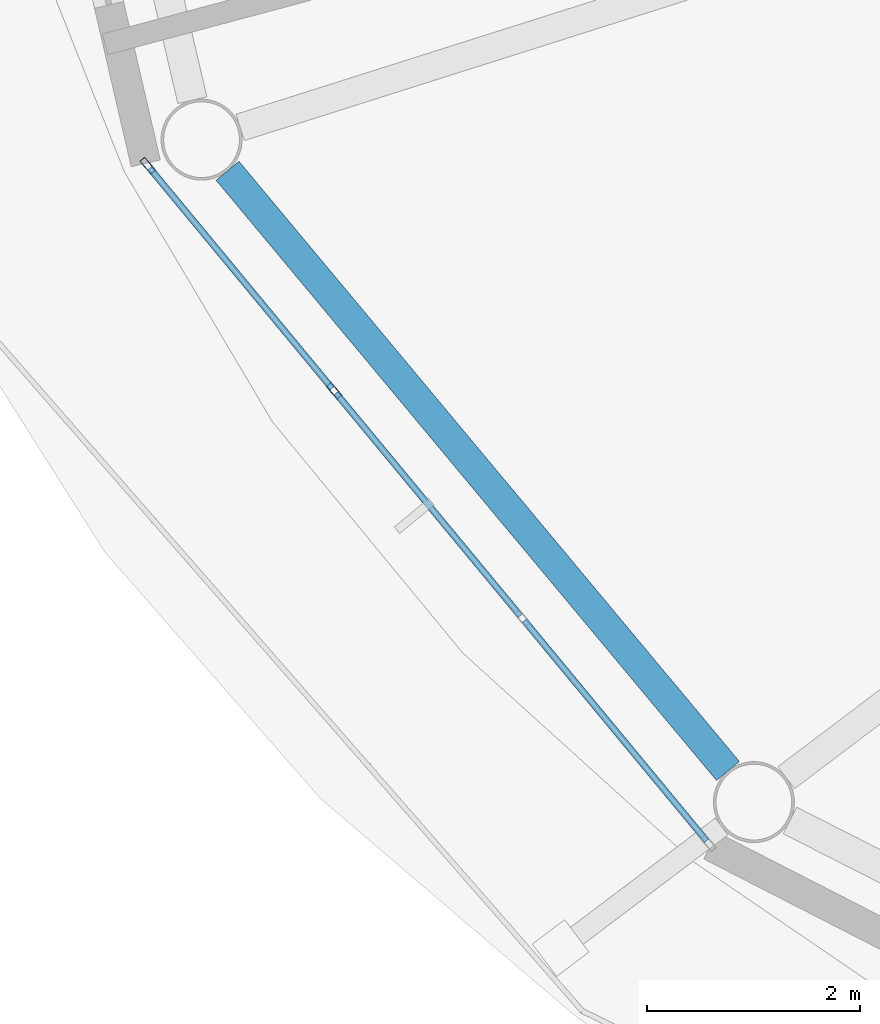
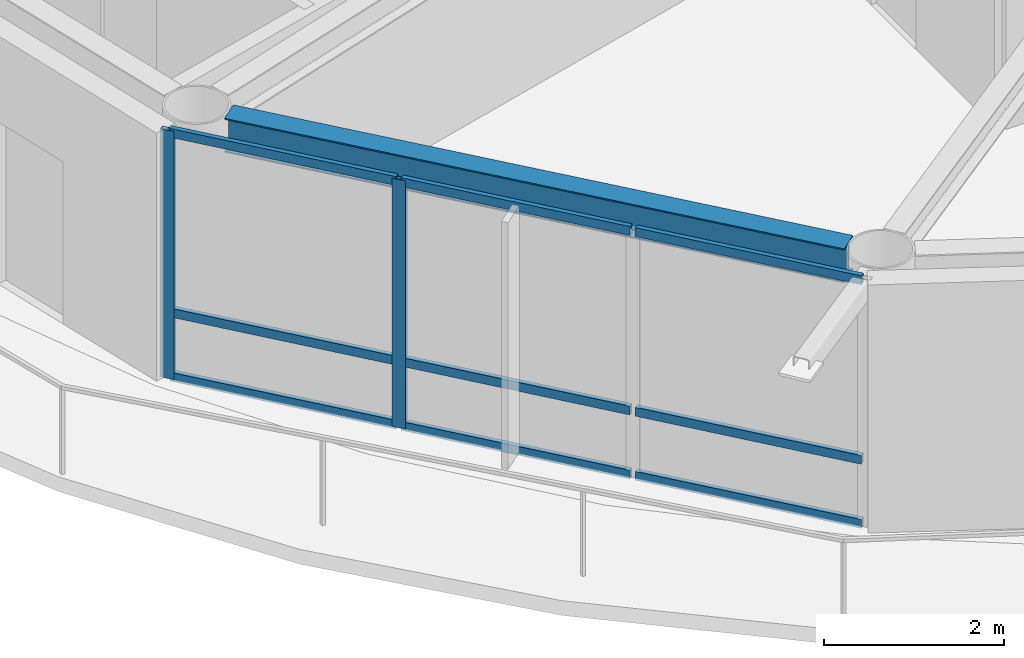
# One storey, part 3 of 23: 11 members, 1 beam, 1 element without a shape of its own.
"""IFC4 building model written with IfcOpenShell, lengths in metres."""

from ifc_helpers import new_model, si_unit, direction, frame, origin, origin_2d, place, context, subcontext, project, spatial, hollow_rectangle, i_section, extrude, material, layer, layer_set, material_profile, profile_set, type_object, element, aggregate, save


model = new_model("IFC4")

# Units and contexts
model_context = context("Model", 3, precision=1e-05, world=origin(), true_north=direction((0.0, 1.0)))
body_context = subcontext(model_context, "Body", "Model", "MODEL_VIEW")
ifc_project = project(units=[si_unit("LENGTHUNIT", "METRE"), si_unit("AREAUNIT", "SQUARE_METRE"), si_unit("VOLUMEUNIT", "CUBIC_METRE"), si_unit("PLANEANGLEUNIT", "RADIAN"), si_unit("MASSUNIT", "GRAM", prefix="KILO")], contexts=[model_context])

# Site, building, storey
site_placement = place(None, origin())
site = spatial("IfcSite", under=ifc_project, at=site_placement, CompositionType="ELEMENT")
building_placement = place(site_placement, origin())
building = spatial("IfcBuilding", under=site, at=building_placement, Name="Sarneth Arch Tower", CompositionType="ELEMENT")
storey_placement = place(building_placement, frame((0.0, 0.0, 269.39990234375)))
storey = spatial("IfcBuildingStorey", under=building, at=storey_placement, Name="L69", CompositionType="ELEMENT", Elevation=269.39990234375)

# Beam
ifc_material_1 = material(Name="Steel S355", Category="steel")
ifc_material_profile_1 = material_profile(ifc_material_1, i_section(OverallWidth=0.280029296875, OverallDepth=0.462890625, WebThickness=0.0107421875, FlangeThickness=0.017333984375, FilletRadius=0.01806640625, at=origin_2d()), Name="W460x113")
ifc_profile_set_1 = profile_set([ifc_material_profile_1], Name="Steel S355")
beam_type = type_object("IfcBeamType", Name="BM-RAD-460A", PredefinedType="BEAM", material=ifc_profile_set_1)
beam_placement = place(storey_placement, frame((25.0751953125, 34.35986328125, 3.138671875), z_axis=(0.640377192996, -0.768060577487, 0.0), x_axis=(0.768060577487, 0.640377192996, 0.0)))
element("IfcBeam", 1, at=beam_placement, inside=storey, type_object=beam_type, Name="L69 Perimeter spandrel beam 10", PredefinedType="BEAM", context=body_context, shape_type="SweptSolid", body=[
    extrude(i_section(OverallWidth=0.280029296875, OverallDepth=0.462890625, WebThickness=0.0107421875, FlangeThickness=0.017333984375, FilletRadius=0.01806640625, at=origin_2d()), origin(), (0.0, 0.0, 1.0), 7.34814453125),
])

# Curtain wall, members
ifc_material_2 = material(Name="Anodised aluminium Type AA25 and solar-control low-e laminated IGU", Category="aluminium")
ifc_layer = layer(ifc_material_2, 0.179931640625)
ifc_layer_set = layer_set([ifc_layer], Name="Anodised aluminium Type AA25 and solar-control low-e laminated IGU")
curtain_wall_type = type_object("IfcCurtainWallType", Name="CW-RES-HIGH", PredefinedType="NOTDEFINED", material=ifc_layer_set)
curtain_wall_placement = place(storey_placement, origin())
curtain_wall = element("IfcCurtainWall", 2, at=curtain_wall_placement, inside=storey, type_object=curtain_wall_type, Name="L69 Unitised curtain wall facet 10", PredefinedType="NOTDEFINED")
ifc_material_3 = material(Name="Anodised Aluminium 6063-T6", Category="aluminium")
ifc_material_profile_2 = material_profile(ifc_material_3, hollow_rectangle(XDim=0.06005859375, YDim=0.159912109375, WallThickness=0.00390625, at=origin_2d()), Name="AL-MULL-160x60x4")
ifc_profile_set_2 = profile_set([ifc_material_profile_2], Name="Anodised Aluminium 6063-T6")
member_type_1 = type_object("IfcMemberType", Name="CW-MULLION", PredefinedType="MULLION", material=ifc_profile_set_2)
member_1_placement = place(storey_placement, frame((24.325439453125, 34.407470703125, 0.0), z_axis=(0.0, 0.0, 1.0), x_axis=(0.770359245933, 0.637610094184, 0.0)))
member_1 = element("IfcMember", 3, at=member_1_placement, type_object=member_type_1, Name="CW-SYS-6 mullion 1", PredefinedType="MULLION", context=body_context, shape_type="SweptSolid", body=[
    extrude(hollow_rectangle(XDim=0.06005859375, YDim=0.159912109375, WallThickness=0.00390625, at=origin_2d()), origin(), (0.0, 0.0, 1.0), 3.3701171875),
])
member_2_placement = place(storey_placement, frame((26.07666015625, 32.29150390625, 0.0), z_axis=(0.0, 0.0, 1.0), x_axis=(0.770359245933, 0.637610094184, 0.0)))
member_2 = element("IfcMember", 4, at=member_2_placement, type_object=member_type_1, Name="CW-SYS-6 mullion 2", PredefinedType="MULLION", context=body_context, shape_type="SweptSolid", body=[
    extrude(hollow_rectangle(XDim=0.06005859375, YDim=0.159912109375, WallThickness=0.00390625, at=origin_2d()), origin(), (0.0, 0.0, 1.0), 3.3701171875),
])
ifc_material_4 = material(Name="Anodised Aluminium 6063-T6", Category="aluminium")
ifc_material_profile_3 = material_profile(ifc_material_4, hollow_rectangle(XDim=0.06005859375, YDim=0.1201171875, WallThickness=0.00390625, at=origin_2d()), Name="AL-TRAN-120x60x4")
ifc_profile_set_3 = profile_set([ifc_material_profile_3], Name="Anodised Aluminium 6063-T6")
member_type_2 = type_object("IfcMemberType", Name="CW-TRANSOM", PredefinedType="USERDEFINED", material=ifc_profile_set_3)
member_3_placement = place(storey_placement, frame((24.344482421875, 34.38427734375, 0.030029296875), z_axis=(0.637651400067, -0.770325056059, 0.0), x_axis=(0.770325056059, 0.637651400067, 0.0)))
member_3 = element("IfcMember", 5, at=member_3_placement, type_object=member_type_2, Name="CW-SYS-6 transom 1.1", ObjectType="TRANSOM", PredefinedType="USERDEFINED", context=body_context, shape_type="SweptSolid", body=[
    extrude(hollow_rectangle(XDim=0.06005859375, YDim=0.1201171875, WallThickness=0.00390625, at=origin_2d()), origin(), (0.0, 0.0, 1.0), 2.6865234375),
])
member_4_placement = place(storey_placement, frame((24.344482421875, 34.38427734375, 0.900146484375), z_axis=(0.637651400067, -0.770325056059, 0.0), x_axis=(0.770325056059, 0.637651400067, 0.0)))
member_4 = element("IfcMember", 6, at=member_4_placement, type_object=member_type_2, Name="CW-SYS-6 transom 1.2", ObjectType="TRANSOM", PredefinedType="USERDEFINED", context=body_context, shape_type="SweptSolid", body=[
    extrude(hollow_rectangle(XDim=0.06005859375, YDim=0.1201171875, WallThickness=0.00390625, at=origin_2d()), origin(), (0.0, 0.0, 1.0), 2.6865234375),
])
member_5_placement = place(storey_placement, frame((24.344482421875, 34.38427734375, 3.340087890625), z_axis=(0.637651400067, -0.770325056059, 0.0), x_axis=(0.770325056059, 0.637651400067, 0.0)))
member_5 = element("IfcMember", 7, at=member_5_placement, type_object=member_type_2, Name="CW-SYS-6 transom 1.3", ObjectType="TRANSOM", PredefinedType="USERDEFINED", context=body_context, shape_type="SweptSolid", body=[
    extrude(hollow_rectangle(XDim=0.06005859375, YDim=0.1201171875, WallThickness=0.00390625, at=origin_2d()), origin(), (0.0, 0.0, 1.0), 2.6865234375),
])
member_6_placement = place(storey_placement, frame((26.095703125, 32.268310546875, 0.030029296875), z_axis=(0.637617371902, -0.770353222261, 0.0), x_axis=(0.770353222261, 0.637617371902, 0.0)))
member_6 = element("IfcMember", 8, at=member_6_placement, type_object=member_type_2, Name="CW-SYS-6 transom 2.1", ObjectType="TRANSOM", PredefinedType="USERDEFINED", context=body_context, shape_type="SweptSolid", body=[
    extrude(hollow_rectangle(XDim=0.06005859375, YDim=0.1201171875, WallThickness=0.00390625, at=origin_2d()), origin(), (0.0, 0.0, 1.0), 2.716552734375),
])
member_7_placement = place(storey_placement, frame((26.095703125, 32.268310546875, 0.900146484375), z_axis=(0.637617371902, -0.770353222261, 0.0), x_axis=(0.770353222261, 0.637617371902, 0.0)))
member_7 = element("IfcMember", 9, at=member_7_placement, type_object=member_type_2, Name="CW-SYS-6 transom 2.2", ObjectType="TRANSOM", PredefinedType="USERDEFINED", context=body_context, shape_type="SweptSolid", body=[
    extrude(hollow_rectangle(XDim=0.06005859375, YDim=0.1201171875, WallThickness=0.00390625, at=origin_2d()), origin(), (0.0, 0.0, 1.0), 2.716552734375),
])
member_8_placement = place(storey_placement, frame((26.095703125, 32.268310546875, 3.340087890625), z_axis=(0.637617371902, -0.770353222261, 0.0), x_axis=(0.770353222261, 0.637617371902, 0.0)))
member_8 = element("IfcMember", 10, at=member_8_placement, type_object=member_type_2, Name="CW-SYS-6 transom 2.3", ObjectType="TRANSOM", PredefinedType="USERDEFINED", context=body_context, shape_type="SweptSolid", body=[
    extrude(hollow_rectangle(XDim=0.06005859375, YDim=0.1201171875, WallThickness=0.00390625, at=origin_2d()), origin(), (0.0, 0.0, 1.0), 2.716552734375),
])
member_9_placement = place(storey_placement, frame((27.8662109375, 30.12939453125, 0.030029296875), z_axis=(0.637606765719, -0.770362000821, 0.0), x_axis=(0.770362000821, 0.637606765719, 0.0)))
member_9 = element("IfcMember", 11, at=member_9_placement, type_object=member_type_2, Name="CW-SYS-6 transom 3.1", ObjectType="TRANSOM", PredefinedType="USERDEFINED", context=body_context, shape_type="SweptSolid", body=[
    extrude(hollow_rectangle(XDim=0.06005859375, YDim=0.1201171875, WallThickness=0.00390625, at=origin_2d()), origin(), (0.0, 0.0, 1.0), 2.686767578125),
])
member_10_placement = place(storey_placement, frame((27.8662109375, 30.12939453125, 0.900146484375), z_axis=(0.637606765719, -0.770362000821, 0.0), x_axis=(0.770362000821, 0.637606765719, 0.0)))
member_10 = element("IfcMember", 12, at=member_10_placement, type_object=member_type_2, Name="CW-SYS-6 transom 3.2", ObjectType="TRANSOM", PredefinedType="USERDEFINED", context=body_context, shape_type="SweptSolid", body=[
    extrude(hollow_rectangle(XDim=0.06005859375, YDim=0.1201171875, WallThickness=0.00390625, at=origin_2d()), origin(), (0.0, 0.0, 1.0), 2.686767578125),
])
member_11_placement = place(storey_placement, frame((27.8662109375, 30.12939453125, 3.340087890625), z_axis=(0.637606765719, -0.770362000821, 0.0), x_axis=(0.770362000821, 0.637606765719, 0.0)))
member_11 = element("IfcMember", 13, at=member_11_placement, type_object=member_type_2, Name="CW-SYS-6 transom 3.3", ObjectType="TRANSOM", PredefinedType="USERDEFINED", context=body_context, shape_type="SweptSolid", body=[
    extrude(hollow_rectangle(XDim=0.06005859375, YDim=0.1201171875, WallThickness=0.00390625, at=origin_2d()), origin(), (0.0, 0.0, 1.0), 2.686767578125),
])
aggregate(curtain_wall, [member_1, member_2, member_3, member_4, member_5, member_6, member_7, member_8, member_9, member_10, member_11])

save(model, "model.ifc")
